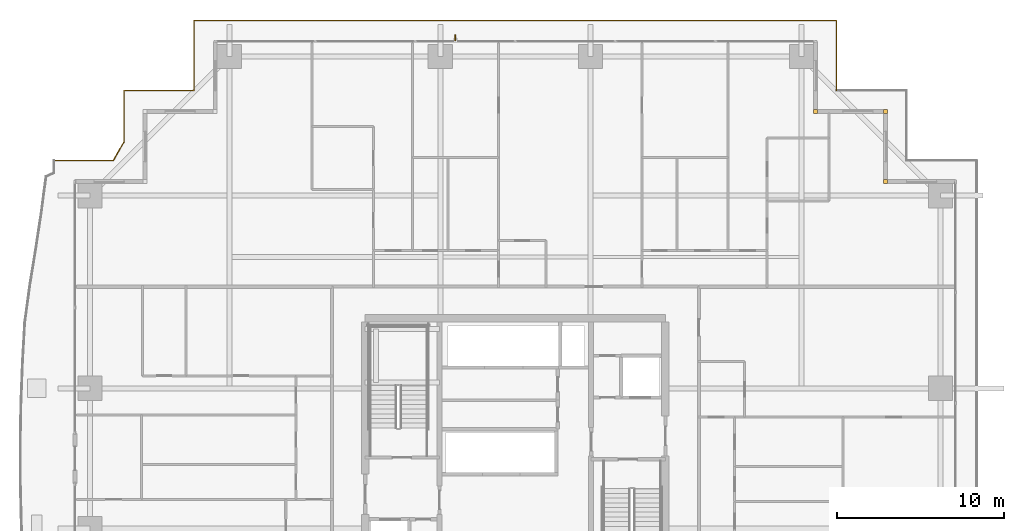
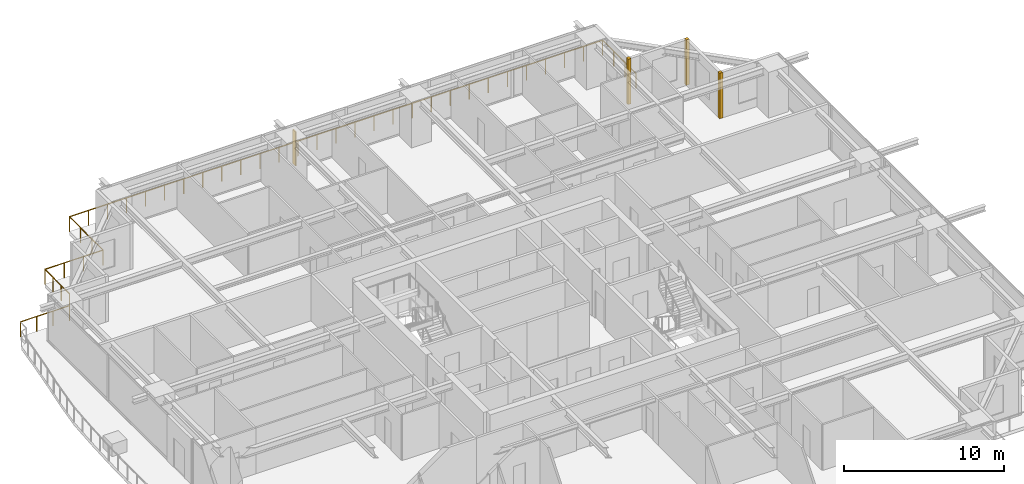
# One storey, part 41 of 41: 3 coverings, 1 railing, 1 shading device.
"""IFC4 building model written with IfcOpenShell, lengths in metres."""

from ifc_helpers import new_model, si_unit, direction, frame, origin, origin_2d, place, context, subcontext, project, spatial, rectangle, circle, extrude, source, transform, mapped, material, layer, layer_set, type_object, element, save


model = new_model("IFC4")

# Units and contexts
model_context = context("Model", 3, precision=1e-05, world=origin(), true_north=direction((0.0, 1.0)))
body_context = subcontext(model_context, "Body", "Model", "MODEL_VIEW")
ifc_project = project(units=[si_unit("LENGTHUNIT", "METRE"), si_unit("AREAUNIT", "SQUARE_METRE"), si_unit("VOLUMEUNIT", "CUBIC_METRE"), si_unit("PLANEANGLEUNIT", "RADIAN"), si_unit("MASSUNIT", "GRAM", prefix="KILO")], contexts=[model_context])

# Site, building, storey
site_placement = place(None, origin())
site = spatial("IfcSite", under=ifc_project, at=site_placement, CompositionType="ELEMENT")
building_placement = place(site_placement, origin())
building = spatial("IfcBuilding", under=site, at=building_placement, Name="Serunith Strait Residences", CompositionType="ELEMENT")
storey_placement = place(building_placement, frame((0.0, 0.0, 75.449951171875)))
storey = spatial("IfcBuildingStorey", under=building, at=storey_placement, Name="L18", CompositionType="ELEMENT", Elevation=75.449951171875)

# Railing
ifc_material_1 = material(Name="Stainless Steel & Laminated Glass Balustrade", Category="steel")
railing_type = type_object("IfcRailingType", Name="RLG-BALC-1150", PredefinedType="BALUSTRADE", material=ifc_material_1)
railing_placement = place(storey_placement, frame((4.739990234375, 43.06005859375, -0.050048828125)))
element("IfcRailing", 1, at=railing_placement, inside=storey, type_object=railing_type, Name="L18 Swirling Balcony Perimeter Balustrade 4", PredefinedType="BALUSTRADE", context=body_context, shape_type="SweptSolid", body=[
    extrude(circle(Radius=0.02392578125, at=origin_2d()), frame((0.001953125, 0.0, 1.1259765625), z_axis=(1.0, 0.0, 0.0), x_axis=(0.0, 1.0, 0.0)), (0.0, 0.0, 1.0), 3.55419921875),
    extrude(circle(Radius=0.02392578125, at=origin_2d()), frame((3.55908203125, 0.001708984375, 1.1259765625), z_axis=(0.496769635218, 0.867882439922, 0.0), x_axis=(-0.867882439922, 0.496769635218, 0.0)), (0.0, 0.0, 1.0), 1.2880859375),
    extrude(circle(Radius=0.02392578125, at=origin_2d()), frame((4.199951171875, 1.123291015625, 1.1259765625), z_axis=(0.0, 1.0, 0.0), x_axis=(-1.0, 0.0, 0.0)), (0.0, 0.0, 1.0), 3.07470703125),
    extrude(circle(Radius=0.02392578125, at=origin_2d()), frame((4.201904296875, 4.199951171875, 1.1259765625), z_axis=(1.0, 0.0, 0.0), x_axis=(0.0, 1.0, 0.0)), (0.0, 0.0, 1.0), 4.196044921875),
    extrude(circle(Radius=0.02392578125, at=origin_2d()), frame((8.39990234375, 4.201904296875, 1.1259765625), z_axis=(0.0, 1.0, 0.0), x_axis=(-1.0, 0.0, 0.0)), (0.0, 0.0, 1.0), 4.196044921875),
    extrude(circle(Radius=0.02392578125, at=origin_2d()), frame((8.40185546875, 8.39990234375, 1.1259765625), z_axis=(1.0, 0.0, 0.0), x_axis=(0.0, 1.0, 0.0)), (0.0, 0.0, 1.0), 38.51611328125),
    extrude(circle(Radius=0.02392578125, at=origin_2d()), frame((46.919921875, 8.39794921875, 1.1259765625), z_axis=(0.0, -1.0, 0.0), x_axis=(1.0, 0.0, 0.0)), (0.0, 0.0, 1.0), 4.196044921875),
    extrude(circle(Radius=0.02099609375, at=origin_2d()), origin(), (0.0, 0.0, 1.0), 1.099853515625),
    extrude(circle(Radius=0.02099609375, at=origin_2d()), frame((1.18603515625, 0.0, 0.0)), (0.0, 0.0, 1.0), 1.099853515625),
    extrude(circle(Radius=0.02099609375, at=origin_2d()), frame((2.3720703125, 0.0, 0.0)), (0.0, 0.0, 1.0), 1.099853515625),
    extrude(circle(Radius=0.02099609375, at=origin_2d()), frame((3.55810546875, 0.0, 0.0)), (0.0, 0.0, 1.0), 1.099853515625),
    extrude(circle(Radius=0.02099609375, at=origin_2d()), frame((4.199951171875, 1.121337890625, 0.0)), (0.0, 0.0, 1.0), 1.099853515625),
    extrude(circle(Radius=0.02099609375, at=origin_2d()), frame((4.199951171875, 2.1474609375, 0.0)), (0.0, 0.0, 1.0), 1.099853515625),
    extrude(circle(Radius=0.02099609375, at=origin_2d()), frame((4.199951171875, 3.173828125, 0.0)), (0.0, 0.0, 1.0), 1.099853515625),
    extrude(circle(Radius=0.02099609375, at=origin_2d()), frame((4.199951171875, 4.199951171875, 0.0)), (0.0, 0.0, 1.0), 1.099853515625),
    extrude(circle(Radius=0.02099609375, at=origin_2d()), frame((5.599853515625, 4.199951171875, 0.0)), (0.0, 0.0, 1.0), 1.099853515625),
    extrude(circle(Radius=0.02099609375, at=origin_2d()), frame((7.0, 4.199951171875, 0.0)), (0.0, 0.0, 1.0), 1.099853515625),
    extrude(circle(Radius=0.02099609375, at=origin_2d()), frame((8.39990234375, 4.199951171875, 0.0)), (0.0, 0.0, 1.0), 1.099853515625),
    extrude(circle(Radius=0.02099609375, at=origin_2d()), frame((8.39990234375, 5.599853515625, 0.0)), (0.0, 0.0, 1.0), 1.099853515625),
    extrude(circle(Radius=0.02099609375, at=origin_2d()), frame((8.39990234375, 7.0, 0.0)), (0.0, 0.0, 1.0), 1.099853515625),
    extrude(circle(Radius=0.02099609375, at=origin_2d()), frame((8.39990234375, 8.39990234375, 0.0)), (0.0, 0.0, 1.0), 1.099853515625),
    extrude(circle(Radius=0.02099609375, at=origin_2d()), frame((9.775634765625, 8.39990234375, 0.0)), (0.0, 0.0, 1.0), 1.099853515625),
    extrude(circle(Radius=0.02099609375, at=origin_2d()), frame((11.1513671875, 8.39990234375, 0.0)), (0.0, 0.0, 1.0), 1.099853515625),
    extrude(circle(Radius=0.02099609375, at=origin_2d()), frame((12.527099609375, 8.39990234375, 0.0)), (0.0, 0.0, 1.0), 1.099853515625),
    extrude(circle(Radius=0.02099609375, at=origin_2d()), frame((13.90283203125, 8.39990234375, 0.0)), (0.0, 0.0, 1.0), 1.099853515625),
    extrude(circle(Radius=0.02099609375, at=origin_2d()), frame((15.278564453125, 8.39990234375, 0.0)), (0.0, 0.0, 1.0), 1.099853515625),
    extrude(circle(Radius=0.02099609375, at=origin_2d()), frame((16.654296875, 8.39990234375, 0.0)), (0.0, 0.0, 1.0), 1.099853515625),
    extrude(circle(Radius=0.02099609375, at=origin_2d()), frame((18.02978515625, 8.39990234375, 0.0)), (0.0, 0.0, 1.0), 1.099853515625),
    extrude(circle(Radius=0.02099609375, at=origin_2d()), frame((19.405517578125, 8.39990234375, 0.0)), (0.0, 0.0, 1.0), 1.099853515625),
    extrude(circle(Radius=0.02099609375, at=origin_2d()), frame((20.78125, 8.39990234375, 0.0)), (0.0, 0.0, 1.0), 1.099853515625),
    extrude(circle(Radius=0.02099609375, at=origin_2d()), frame((22.156982421875, 8.39990234375, 0.0)), (0.0, 0.0, 1.0), 1.099853515625),
    extrude(circle(Radius=0.02099609375, at=origin_2d()), frame((23.53271484375, 8.39990234375, 0.0)), (0.0, 0.0, 1.0), 1.099853515625),
    extrude(circle(Radius=0.02099609375, at=origin_2d()), frame((24.908447265625, 8.39990234375, 0.0)), (0.0, 0.0, 1.0), 1.099853515625),
    extrude(circle(Radius=0.02099609375, at=origin_2d()), frame((26.2841796875, 8.39990234375, 0.0)), (0.0, 0.0, 1.0), 1.099853515625),
    extrude(circle(Radius=0.02099609375, at=origin_2d()), frame((27.659912109375, 8.39990234375, 0.0)), (0.0, 0.0, 1.0), 1.099853515625),
    extrude(circle(Radius=0.02099609375, at=origin_2d()), frame((29.03564453125, 8.39990234375, 0.0)), (0.0, 0.0, 1.0), 1.099853515625),
    extrude(circle(Radius=0.02099609375, at=origin_2d()), frame((30.411376953125, 8.39990234375, 0.0)), (0.0, 0.0, 1.0), 1.099853515625),
    extrude(circle(Radius=0.02099609375, at=origin_2d()), frame((31.787109375, 8.39990234375, 0.0)), (0.0, 0.0, 1.0), 1.099853515625),
    extrude(circle(Radius=0.02099609375, at=origin_2d()), frame((33.162841796875, 8.39990234375, 0.0)), (0.0, 0.0, 1.0), 1.099853515625),
    extrude(circle(Radius=0.02099609375, at=origin_2d()), frame((34.53857421875, 8.39990234375, 0.0)), (0.0, 0.0, 1.0), 1.099853515625),
    extrude(circle(Radius=0.02099609375, at=origin_2d()), frame((35.914306640625, 8.39990234375, 0.0)), (0.0, 0.0, 1.0), 1.099853515625),
    extrude(circle(Radius=0.02099609375, at=origin_2d()), frame((37.2900390625, 8.39990234375, 0.0)), (0.0, 0.0, 1.0), 1.099853515625),
    extrude(circle(Radius=0.02099609375, at=origin_2d()), frame((38.66552734375, 8.39990234375, 0.0)), (0.0, 0.0, 1.0), 1.099853515625),
    extrude(circle(Radius=0.02099609375, at=origin_2d()), frame((40.041259765625, 8.39990234375, 0.0)), (0.0, 0.0, 1.0), 1.099853515625),
    extrude(circle(Radius=0.02099609375, at=origin_2d()), frame((41.4169921875, 8.39990234375, 0.0)), (0.0, 0.0, 1.0), 1.099853515625),
    extrude(circle(Radius=0.02099609375, at=origin_2d()), frame((42.792724609375, 8.39990234375, 0.0)), (0.0, 0.0, 1.0), 1.099853515625),
    extrude(circle(Radius=0.02099609375, at=origin_2d()), frame((44.16845703125, 8.39990234375, 0.0)), (0.0, 0.0, 1.0), 1.099853515625),
    extrude(circle(Radius=0.02099609375, at=origin_2d()), frame((45.544189453125, 8.39990234375, 0.0)), (0.0, 0.0, 1.0), 1.099853515625),
    extrude(circle(Radius=0.02099609375, at=origin_2d()), frame((46.919921875, 8.39990234375, 0.0)), (0.0, 0.0, 1.0), 1.099853515625),
    extrude(circle(Radius=0.02099609375, at=origin_2d()), frame((46.919921875, 7.0, 0.0)), (0.0, 0.0, 1.0), 1.099853515625),
    extrude(circle(Radius=0.02099609375, at=origin_2d()), frame((46.919921875, 5.599853515625, 0.0)), (0.0, 0.0, 1.0), 1.099853515625),
    extrude(circle(Radius=0.02099609375, at=origin_2d()), frame((46.919921875, 4.199951171875, 0.0)), (0.0, 0.0, 1.0), 1.099853515625),
])

# Coverings
ifc_material_2 = material(Name="Pale-Champagne Anodised Aluminium", Category="aluminium")
ifc_layer = layer(ifc_material_2, 0.219970703125, Name="Pale-Champagne Anodised Aluminium")
ifc_layer_set = layer_set([ifc_layer], Name="Pale-Champagne Anodised Aluminium")
covering_type = type_object("IfcCoveringType", Name="COV-CORN-TRIM", PredefinedType="CLADDING", material=ifc_layer_set)
shared_shape_1 = source(origin(), body_context, "Body", "SweptSolid", [
    extrude(rectangle(XDim=0.221923828125, YDim=0.221923828125, at=origin_2d()), origin(), (0.0, 0.0, 1.0), 3.47509765625),
])
for number, where, z_axis, x_axis, name in (
    (2, (54.60009765625, 41.800048828125, 0.0), (0.0, 0.0, 1.0), (1.0, 0.0, 0.0), "L18 Girih Serrated Corner Trim Post 07"),
    (3, (54.60009765625, 46.0, 0.0), (0.0, 0.0, 1.0), (1.0, 0.0, 0.0), "L18 Girih Serrated Corner Trim Post 08"),
    (4, (50.39990234375, 46.0, 0.0), (0.0, 0.0, 1.0), (1.0, 0.0, 0.0), "L18 Girih Serrated Corner Trim Post 09"),
):
    element("IfcCovering", number, at=place(storey_placement, frame(where, z_axis=z_axis, x_axis=x_axis)), inside=storey, type_object=covering_type, Name=name, PredefinedType="CLADDING", context=body_context, shape_type="MappedRepresentation", body=[
        mapped(shared_shape_1, transform((0.0, 0.0, 0.0), scale=1.0)),
    ])

# Shading device
ifc_material_3 = material(Name="Pale-Champagne Perforated Aluminium Fin", Category="aluminium")
shading_device_type = type_object("IfcShadingDeviceType", Name="SHD-DIAG-FIN", PredefinedType="AWNING", material=ifc_material_3)
shared_shape_2 = source(origin(), body_context, "Body", "SweptSolid", [
    extrude(rectangle(XDim=0.080078125, YDim=0.35009765625, at=origin_2d()), origin(), (0.0, 0.0, 1.0), 2.60009765625),
])
shading_device_placement = place(storey_placement, frame((28.800048828125, 50.419921875, 0.199951171875), z_axis=(0.0, 0.0, 1.0), x_axis=(1.0, 0.0, 0.0)))
element("IfcShadingDevice", 5, at=shading_device_placement, inside=storey, type_object=shading_device_type, Name="L18 Diagonal Rhythm Solar Fin N", PredefinedType="AWNING", context=body_context, shape_type="MappedRepresentation", body=[
    mapped(shared_shape_2, transform((0.0, 0.0, 0.0), scale=1.0)),
])

save(model, "model.ifc")
